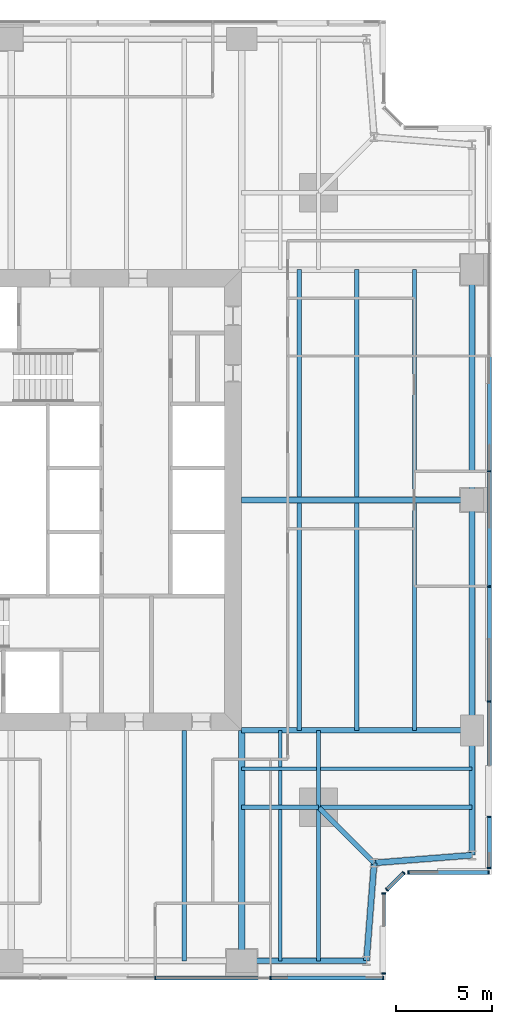
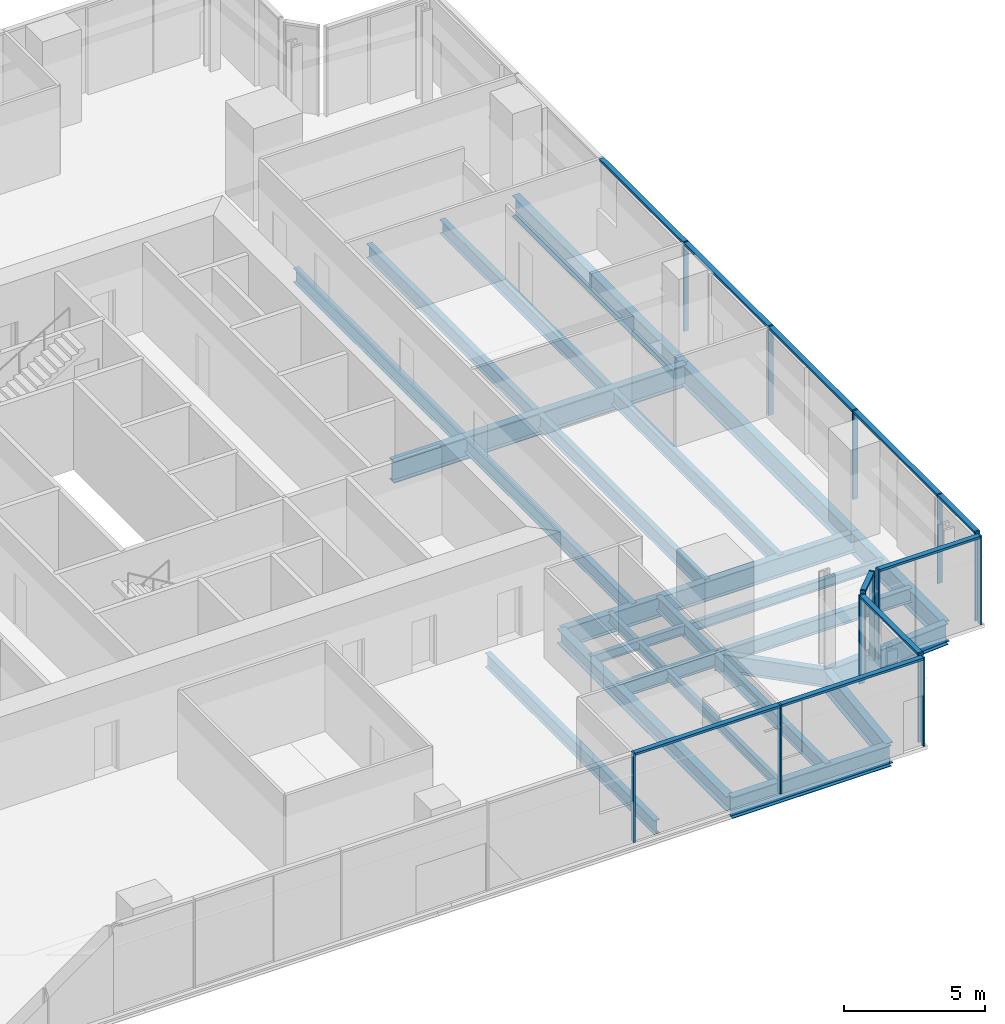
# One storey, part 5 of 16: 26 beams, 24 members, 5 elements without a shape of their own.
"""IFC4 building model written with IfcOpenShell, lengths in metres."""

from ifc_helpers import new_model, si_unit, direction, frame, origin, origin_2d, place, context, subcontext, project, spatial, rectangle, i_section, extrude, material, material_profile, profile_set, type_object, element, aggregate, save


model = new_model("IFC4")

# Units and contexts
model_context = context("Model", 3, precision=1e-05, world=origin(), true_north=direction((0.0, 1.0)))
body_context = subcontext(model_context, "Body", "Model", "MODEL_VIEW")
ifc_project = project(units=[si_unit("LENGTHUNIT", "METRE"), si_unit("AREAUNIT", "SQUARE_METRE"), si_unit("VOLUMEUNIT", "CUBIC_METRE"), si_unit("PLANEANGLEUNIT", "RADIAN"), si_unit("MASSUNIT", "GRAM", prefix="KILO")], contexts=[model_context])

# Site, building, storey
site_placement = place(None, origin())
site = spatial("IfcSite", under=ifc_project, at=site_placement, CompositionType="ELEMENT")
building_placement = place(site_placement, origin())
building = spatial("IfcBuilding", under=site, at=building_placement, Name="Fenwick Lantern Interchange", CompositionType="ELEMENT")
storey_placement = place(building_placement, frame((0.0, 0.0, 177.800048828125)))
storey = spatial("IfcBuildingStorey", under=building, at=storey_placement, Name="L41", CompositionType="ELEMENT", Elevation=177.800048828125)

# Beams
ifc_material_1 = material(Name="Steel ASTM A992 Grade 50", Category="steel")
ifc_material_profile_1 = material_profile(ifc_material_1, i_section(OverallWidth=0.3046875, OverallDepth=0.911865234375, WebThickness=0.015869140625, FlangeThickness=0.02392578125, at=origin_2d()), Name="W36X150")
ifc_profile_set_1 = profile_set([ifc_material_profile_1], Name="Steel ASTM A992 Grade 50")
beam_type_1 = type_object("IfcBeamType", Name="EDGE BEAM W36X150", PredefinedType="SPANDREL", material=ifc_profile_set_1)
beam_1_placement = place(storey_placement, frame((37.0, 1.0, -0.60595703125), z_axis=(1.0, 0.0, 0.0), x_axis=(0.0, 1.0, 0.0)))
element("IfcBeam", 1, at=beam_1_placement, inside=storey, type_object=beam_type_1, Name="L41/FR/S/EB4", PredefinedType="SPANDREL", context=body_context, shape_type="SweptSolid", body=[
    extrude(i_section(OverallWidth=0.3046875, OverallDepth=0.911865234375, WebThickness=0.015869140625, FlangeThickness=0.02392578125, at=origin_2d()), origin(), (0.0, 0.0, 1.0), 6.5),
])
for number, where, z_axis, x_axis, name in (
    (2, (43.5, 1.0, -0.60595703125), (0.078170784639, 0.99693998236, 0.0), (-0.99693998236, 0.078170784639, 0.0), "L41/FR/S/EBR1"),
    (3, (43.89990234375, 6.10009765625, -0.60595703125), (0.99693998236, 0.078170784639, 0.0), (-0.078170784639, 0.99693998236, 0.0), "L41/FR/S/EBR2"),
):
    element("IfcBeam", number, at=place(storey_placement, frame(where, z_axis=z_axis, x_axis=x_axis)), inside=storey, type_object=beam_type_1, Name=name, PredefinedType="SPANDREL", context=body_context, shape_type="SweptSolid", body=[
        extrude(i_section(OverallWidth=0.3046875, OverallDepth=0.911865234375, WebThickness=0.015869140625, FlangeThickness=0.02392578125, at=origin_2d()), origin(), (0.0, 0.0, 1.0), 5.11572265625),
    ])
beam_2_placement = place(storey_placement, frame((49.0, 6.5, -0.60595703125), z_axis=(0.0, 1.0, 0.0), x_axis=(-1.0, 0.0, 0.0)))
element("IfcBeam", 4, at=beam_2_placement, inside=storey, type_object=beam_type_1, Name="L41/FR/E/EB1", PredefinedType="SPANDREL", context=body_context, shape_type="SweptSolid", body=[
    extrude(i_section(OverallWidth=0.3046875, OverallDepth=0.911865234375, WebThickness=0.015869140625, FlangeThickness=0.02392578125, at=origin_2d()), origin(), (0.0, 0.0, 1.0), 6.5),
])
for number, where, z_axis, x_axis, name in (
    (5, (49.0, 13.0, -0.60595703125), (0.0, 1.0, 0.0), (-1.0, 0.0, 0.0), "L41/FR/E/EB2"),
    (6, (49.0, 25.0, -0.60595703125), (0.0, 1.0, 0.0), (-1.0, 0.0, 0.0), "L41/FR/E/EB3"),
):
    element("IfcBeam", number, at=place(storey_placement, frame(where, z_axis=z_axis, x_axis=x_axis)), inside=storey, type_object=beam_type_1, Name=name, PredefinedType="SPANDREL", context=body_context, shape_type="SweptSolid", body=[
        extrude(i_section(OverallWidth=0.3046875, OverallDepth=0.911865234375, WebThickness=0.015869140625, FlangeThickness=0.02392578125, at=origin_2d()), origin(), (0.0, 0.0, 1.0), 12.0),
    ])
ifc_material_profile_2 = material_profile(ifc_material_1, i_section(OverallWidth=0.22900390625, OverallDepth=0.612060546875, WebThickness=0.011962890625, FlangeThickness=0.01953125, at=origin_2d()), Name="W24X84")
ifc_profile_set_2 = profile_set([ifc_material_profile_2], Name="Steel ASTM A992 Grade 50")
beam_type_2 = type_object("IfcBeamType", Name="FLOOR BEAM W24X84", PredefinedType="BEAM", material=ifc_profile_set_2)
beam_3_placement = place(storey_placement, frame((34.0, 1.0, -0.4560546875), z_axis=(0.0, 1.0, 0.0), x_axis=(-1.0, 0.0, 0.0)))
element("IfcBeam", 7, at=beam_3_placement, inside=storey, type_object=beam_type_2, Name="L41/FR/S/R08", PredefinedType="BEAM", context=body_context, shape_type="SweptSolid", body=[
    extrude(i_section(OverallWidth=0.22900390625, OverallDepth=0.612060546875, WebThickness=0.011962890625, FlangeThickness=0.01953125, at=origin_2d()), origin(), (0.0, 0.0, 1.0), 12.0),
])
for number, where, z_axis, x_axis, name in (
    (8, (46.0, 13.0, -0.4560546875), (0.0, 1.0, 0.0), (-1.0, 0.0, 0.0), "L41/FR/E/B01"),
    (9, (43.0, 13.0, -0.4560546875), (0.0, 1.0, 0.0), (-1.0, 0.0, 0.0), "L41/FR/E/B02"),
    (10, (40.0, 13.0, -0.4560546875), (0.0, 1.0, 0.0), (-1.0, 0.0, 0.0), "L41/FR/E/B03"),
    (11, (46.0, 25.155029296875, -0.4560546875), (0.0, 1.0, 0.0), (-1.0, 0.0, 0.0), "L41/FR/E/B04"),
    (12, (43.0, 25.155029296875, -0.4560546875), (0.0, 1.0, 0.0), (-1.0, 0.0, 0.0), "L41/FR/E/B05"),
    (13, (40.0, 25.155029296875, -0.4560546875), (0.0, 1.0, 0.0), (-1.0, 0.0, 0.0), "L41/FR/E/B06"),
):
    element("IfcBeam", number, at=place(storey_placement, frame(where, z_axis=z_axis, x_axis=x_axis)), inside=storey, type_object=beam_type_2, Name=name, PredefinedType="BEAM", context=body_context, shape_type="SweptSolid", body=[
        extrude(i_section(OverallWidth=0.22900390625, OverallDepth=0.612060546875, WebThickness=0.011962890625, FlangeThickness=0.01953125, at=origin_2d()), origin(), (0.0, 0.0, 1.0), 11.844970703125),
    ])
ifc_material_profile_3 = material_profile(ifc_material_1, i_section(OverallWidth=0.177734375, OverallDepth=0.406494140625, WebThickness=0.0078125, FlangeThickness=0.012939453125, at=origin_2d()), Name="W16X40")
ifc_profile_set_3 = profile_set([ifc_material_profile_3], Name="Steel ASTM A992 Grade 50")
beam_type_3 = type_object("IfcBeamType", Name="INFILL BEAM W16X40", PredefinedType="JOIST", material=ifc_profile_set_3)
beam_4_placement = place(storey_placement, frame((49.0, 11.0, -0.353271484375), z_axis=(-1.0, 0.0, 0.0), x_axis=(0.0, -1.0, 0.0)))
element("IfcBeam", 14, at=beam_4_placement, inside=storey, type_object=beam_type_3, Name="L41/FR/E/J1", PredefinedType="JOIST", context=body_context, shape_type="SweptSolid", body=[
    extrude(i_section(OverallWidth=0.177734375, OverallDepth=0.406494140625, WebThickness=0.0078125, FlangeThickness=0.012939453125, at=origin_2d()), origin(), (0.0, 0.0, 1.0), 7.885498046875),
])
beam_5_placement = place(storey_placement, frame((40.885498046875, 11.0, -0.353271484375), z_axis=(-1.0, 0.0, 0.0), x_axis=(0.0, -1.0, 0.0)))
element("IfcBeam", 15, at=beam_5_placement, inside=storey, type_object=beam_type_3, Name="L41/FR/E/J2", PredefinedType="JOIST", context=body_context, shape_type="SweptSolid", body=[
    extrude(i_section(OverallWidth=0.177734375, OverallDepth=0.406494140625, WebThickness=0.0078125, FlangeThickness=0.012939453125, at=origin_2d()), origin(), (0.0, 0.0, 1.0), 3.885498046875),
])
beam_6_placement = place(storey_placement, frame((39.0, 1.0, -0.353271484375), z_axis=(0.0, 1.0, 0.0), x_axis=(-1.0, 0.0, 0.0)))
element("IfcBeam", 16, at=beam_6_placement, inside=storey, type_object=beam_type_3, Name="L41/FR/E/J3", PredefinedType="JOIST", context=body_context, shape_type="SweptSolid", body=[
    extrude(i_section(OverallWidth=0.177734375, OverallDepth=0.406494140625, WebThickness=0.0078125, FlangeThickness=0.012939453125, at=origin_2d()), origin(), (0.0, 0.0, 1.0), 7.885498046875),
])
beam_7_placement = place(storey_placement, frame((39.0, 9.114501953125, -0.353271484375), z_axis=(0.0, 1.0, 0.0), x_axis=(-1.0, 0.0, 0.0)))
element("IfcBeam", 17, at=beam_7_placement, inside=storey, type_object=beam_type_3, Name="L41/FR/E/J4", PredefinedType="JOIST", context=body_context, shape_type="SweptSolid", body=[
    extrude(i_section(OverallWidth=0.177734375, OverallDepth=0.406494140625, WebThickness=0.0078125, FlangeThickness=0.012939453125, at=origin_2d()), origin(), (0.0, 0.0, 1.0), 1.796630859375),
])
beam_8_placement = place(storey_placement, frame((39.0, 11.0888671875, -0.353271484375), z_axis=(0.0, 1.0, 0.0), x_axis=(-1.0, 0.0, 0.0)))
element("IfcBeam", 18, at=beam_8_placement, inside=storey, type_object=beam_type_3, Name="L41/FR/E/J5", PredefinedType="JOIST", context=body_context, shape_type="SweptSolid", body=[
    extrude(i_section(OverallWidth=0.177734375, OverallDepth=0.406494140625, WebThickness=0.0078125, FlangeThickness=0.012939453125, at=origin_2d()), origin(), (0.0, 0.0, 1.0), 1.9111328125),
])
ifc_material_profile_4 = material_profile(ifc_material_1, i_section(OverallWidth=0.22900390625, OverallDepth=0.612060546875, WebThickness=0.011962890625, FlangeThickness=0.01953125, at=origin_2d()), Name="W24X84")
ifc_profile_set_4 = profile_set([ifc_material_profile_4], Name="Steel ASTM A992 Grade 50")
beam_type_4 = type_object("IfcBeamType", Name="MEGA COLUMN BEAM W24X84", PredefinedType="BEAM", material=ifc_profile_set_4)
for number, where, z_axis, x_axis, name in (
    (19, (41.0, 9.0, -0.4560546875), (1.0, 0.0, 0.0), (0.0, 1.0, 0.0), "L41/FR/E/MB1"),
    (20, (41.0, 9.0, -0.4560546875), (0.0, -1.0, 0.0), (1.0, 0.0, 0.0), "L41/FR/E/MB2"),
):
    element("IfcBeam", number, at=place(storey_placement, frame(where, z_axis=z_axis, x_axis=x_axis)), inside=storey, type_object=beam_type_4, Name=name, PredefinedType="BEAM", context=body_context, shape_type="SweptSolid", body=[
        extrude(i_section(OverallWidth=0.22900390625, OverallDepth=0.612060546875, WebThickness=0.011962890625, FlangeThickness=0.01953125, at=origin_2d()), origin(), (0.0, 0.0, 1.0), 8.0),
    ])
for number, where, z_axis, x_axis, name in (
    (21, (41.0, 9.0, -0.4560546875), (0.0, 1.0, 0.0), (-1.0, 0.0, 0.0), "L41/FR/E/MB3"),
    (22, (41.0, 9.0, -0.4560546875), (-1.0, 0.0, 0.0), (0.0, -1.0, 0.0), "L41/FR/E/MB4"),
):
    element("IfcBeam", number, at=place(storey_placement, frame(where, z_axis=z_axis, x_axis=x_axis)), inside=storey, type_object=beam_type_4, Name=name, PredefinedType="BEAM", context=body_context, shape_type="SweptSolid", body=[
        extrude(i_section(OverallWidth=0.22900390625, OverallDepth=0.612060546875, WebThickness=0.011962890625, FlangeThickness=0.01953125, at=origin_2d()), origin(), (0.0, 0.0, 1.0), 4.0),
    ])
ifc_material_profile_5 = material_profile(ifc_material_1, i_section(OverallWidth=0.32763671875, OverallDepth=0.622314453125, WebThickness=0.015380859375, FlangeThickness=0.0244140625, at=origin_2d()), Name="W24X131")
ifc_profile_set_5 = profile_set([ifc_material_profile_5], Name="Steel ASTM A992 Grade 50")
beam_type_5 = type_object("IfcBeamType", Name="MOMENT-CONNECTED GIRDER W24X131", PredefinedType="BEAM", material=ifc_profile_set_5)
beam_9_placement = place(storey_placement, frame((37.0, 1.0, -0.461181640625), z_axis=(0.0, 1.0, 0.0), x_axis=(-1.0, 0.0, 0.0)))
element("IfcBeam", 23, at=beam_9_placement, inside=storey, type_object=beam_type_5, Name="L41/FR/S/R09", PredefinedType="BEAM", context=body_context, shape_type="SweptSolid", body=[
    extrude(i_section(OverallWidth=0.32763671875, OverallDepth=0.622314453125, WebThickness=0.015380859375, FlangeThickness=0.0244140625, at=origin_2d()), origin(), (0.0, 0.0, 1.0), 12.0),
])
ifc_material_profile_6 = material_profile(ifc_material_1, i_section(OverallWidth=0.2919921875, OverallDepth=0.845703125, WebThickness=0.015380859375, FlangeThickness=0.0244140625, at=origin_2d()), Name="W33X141")
ifc_profile_set_6 = profile_set([ifc_material_profile_6], Name="Steel ASTM A992 Grade 50")
beam_type_6 = type_object("IfcBeamType", Name="MOMENT-CONNECTED GIRDER W33X141", PredefinedType="BEAM", material=ifc_profile_set_6)
beam_10_placement = place(storey_placement, frame((49.0, 13.0, -0.572998046875), z_axis=(-1.0, 0.0, 0.0), x_axis=(0.0, -1.0, 0.0)))
element("IfcBeam", 24, at=beam_10_placement, inside=storey, type_object=beam_type_6, Name="L41/FR/E/R01", PredefinedType="BEAM", context=body_context, shape_type="SweptSolid", body=[
    extrude(i_section(OverallWidth=0.2919921875, OverallDepth=0.845703125, WebThickness=0.015380859375, FlangeThickness=0.0244140625, at=origin_2d()), origin(), (0.0, 0.0, 1.0), 12.0),
])
ifc_material_profile_7 = material_profile(ifc_material_1, i_section(OverallWidth=0.309814453125, OverallDepth=0.949951171875, WebThickness=0.0244140625, FlangeThickness=0.0439453125, at=origin_2d()), Name="W36X256")
ifc_profile_set_7 = profile_set([ifc_material_profile_7], Name="Steel ASTM A992 Grade 50")
beam_type_7 = type_object("IfcBeamType", Name="MOMENT-CONNECTED GIRDER W36X256", PredefinedType="BEAM", material=ifc_profile_set_7)
beam_11_placement = place(storey_placement, frame((49.0, 25.0, -0.625), z_axis=(-1.0, 0.0, 0.0), x_axis=(0.0, -1.0, 0.0)))
element("IfcBeam", 25, at=beam_11_placement, inside=storey, type_object=beam_type_7, Name="L41/FR/E/R02", PredefinedType="BEAM", context=body_context, shape_type="SweptSolid", body=[
    extrude(i_section(OverallWidth=0.309814453125, OverallDepth=0.949951171875, WebThickness=0.0244140625, FlangeThickness=0.0439453125, at=origin_2d()), origin(), (0.0, 0.0, 1.0), 12.0),
])
ifc_material_profile_8 = material_profile(ifc_material_1, i_section(OverallWidth=0.2666015625, OverallDepth=0.7568359375, WebThickness=0.013916015625, FlangeThickness=0.019287109375, at=origin_2d()), Name="W30X108")
ifc_profile_set_8 = profile_set([ifc_material_profile_8], Name="Steel ASTM A992 Grade 50")
beam_type_8 = type_object("IfcBeamType", Name="NOTCH BEAM W30X108", PredefinedType="BEAM", material=ifc_profile_set_8)
beam_12_placement = place(storey_placement, frame((41.0, 9.0, -0.528564453125), z_axis=(0.707106781187, -0.707106781187, 0.0), x_axis=(0.707106781187, 0.707106781187, 0.0)))
element("IfcBeam", 26, at=beam_12_placement, inside=storey, type_object=beam_type_8, Name="L41/FR/E/TG", PredefinedType="BEAM", context=body_context, shape_type="SweptSolid", body=[
    extrude(i_section(OverallWidth=0.2666015625, OverallDepth=0.7568359375, WebThickness=0.013916015625, FlangeThickness=0.019287109375, at=origin_2d()), origin(), (0.0, 0.0, 1.0), 4.10107421875),
])

# Curtain wall, members
ifc_material_2 = material(Name="Aluminium curtain wall frame", Category="aluminium")
curtain_wall_type = type_object("IfcCurtainWallType", Name="OFFICE CURTAIN WALL", PredefinedType="USERDEFINED", material=ifc_material_2)
curtain_wall_1_placement = place(storey_placement, origin())
curtain_wall_1 = element("IfcCurtainWall", 27, at=curtain_wall_1_placement, inside=storey, type_object=curtain_wall_type, Name="Office curtain wall 01", ObjectType="OFFICE CURTAIN WALL", PredefinedType="USERDEFINED")
ifc_material_3 = material(Name="Aluminium extrusion", Category="aluminium")
ifc_material_profile_9 = material_profile(ifc_material_3, rectangle(XDim=0.199951171875, YDim=0.06494140625, at=origin_2d()), Name="OFFICE CURTAIN WALL MULLION 65 X 200")
ifc_profile_set_9 = profile_set([ifc_material_profile_9], Name="Aluminium extrusion")
member_type_1 = type_object("IfcMemberType", Name="OFFICE CURTAIN WALL MULLION 65 X 200", PredefinedType="MULLION", material=ifc_profile_set_9)
member_1_placement = place(storey_placement, frame((32.5, 0.10009765625, 0.0), z_axis=(0.0, 0.0, 1.0), x_axis=(0.0, 1.0, 0.0)))
member_1 = element("IfcMember", 28, at=member_1_placement, type_object=member_type_1, Name="L41/CW/01/M05", PredefinedType="MULLION", context=body_context, shape_type="SweptSolid", body=[
    extrude(rectangle(XDim=0.199951171875, YDim=0.06494140625, at=origin_2d()), origin(), (0.0, 0.0, 1.0), 3.849853515625),
])
member_2_placement = place(storey_placement, frame((38.5, 0.10009765625, 0.0), z_axis=(0.0, 0.0, 1.0), x_axis=(0.0, 1.0, 0.0)))
member_2 = element("IfcMember", 29, at=member_2_placement, type_object=member_type_1, Name="L41/CW/01/M06", PredefinedType="MULLION", context=body_context, shape_type="SweptSolid", body=[
    extrude(rectangle(XDim=0.199951171875, YDim=0.06494140625, at=origin_2d()), origin(), (0.0, 0.0, 1.0), 3.849853515625),
])
member_3_placement = place(storey_placement, frame((44.367431640625, 0.10009765625, 0.0), z_axis=(0.0, 0.0, 1.0), x_axis=(0.0, 1.0, 0.0)))
member_3 = element("IfcMember", 30, at=member_3_placement, type_object=member_type_1, Name="L41/CW/01/M07", PredefinedType="MULLION", context=body_context, shape_type="SweptSolid", body=[
    extrude(rectangle(XDim=0.199951171875, YDim=0.06494140625, at=origin_2d()), origin(), (0.0, 0.0, 1.0), 3.849853515625),
])

curtain_wall_2_placement = place(storey_placement, origin())
curtain_wall_2 = element("IfcCurtainWall", 31, at=curtain_wall_2_placement, inside=storey, type_object=curtain_wall_type, Name="Office curtain wall 02", ObjectType="OFFICE CURTAIN WALL", PredefinedType="USERDEFINED")
member_4_placement = place(storey_placement, frame((44.39990234375, 0.33251953125, 0.0), z_axis=(0.0, 0.0, 1.0), x_axis=(-1.0, 0.0, 0.0)))
member_4 = element("IfcMember", 32, at=member_4_placement, type_object=member_type_1, Name="L41/CW/02/M00", PredefinedType="MULLION", context=body_context, shape_type="SweptSolid", body=[
    extrude(rectangle(XDim=0.199951171875, YDim=0.06494140625, at=origin_2d()), origin(), (0.0, 0.0, 1.0), 3.849853515625),
])
member_5_placement = place(storey_placement, frame((44.39990234375, 4.509033203125, 0.0), z_axis=(0.0, 0.0, 1.0), x_axis=(-1.0, 0.0, 0.0)))
member_5 = element("IfcMember", 33, at=member_5_placement, type_object=member_type_1, Name="L41/CW/02/M01", PredefinedType="MULLION", context=body_context, shape_type="SweptSolid", body=[
    extrude(rectangle(XDim=0.199951171875, YDim=0.06494140625, at=origin_2d()), origin(), (0.0, 0.0, 1.0), 3.849853515625),
])

curtain_wall_3_placement = place(storey_placement, origin())
curtain_wall_3 = element("IfcCurtainWall", 34, at=curtain_wall_3_placement, inside=storey, type_object=curtain_wall_type, Name="Office curtain wall 03", ObjectType="OFFICE CURTAIN WALL", PredefinedType="USERDEFINED")
member_6_placement = place(storey_placement, frame((44.564453125, 4.705810546875, 0.0), z_axis=(0.0, 0.0, 1.0), x_axis=(-0.707106781187, 0.707106781187, 0.0)))
member_6 = element("IfcMember", 35, at=member_6_placement, type_object=member_type_1, Name="L41/CW/03/M00", PredefinedType="MULLION", context=body_context, shape_type="SweptSolid", body=[
    extrude(rectangle(XDim=0.199951171875, YDim=0.06494140625, at=origin_2d()), origin(), (0.0, 0.0, 1.0), 3.849853515625),
])
member_7_placement = place(storey_placement, frame((45.435546875, 5.576904296875, 0.0), z_axis=(0.0, 0.0, 1.0), x_axis=(-0.707106781187, 0.707106781187, 0.0)))
member_7 = element("IfcMember", 36, at=member_7_placement, type_object=member_type_1, Name="L41/CW/03/M01", PredefinedType="MULLION", context=body_context, shape_type="SweptSolid", body=[
    extrude(rectangle(XDim=0.199951171875, YDim=0.06494140625, at=origin_2d()), origin(), (0.0, 0.0, 1.0), 3.849853515625),
])

curtain_wall_4_placement = place(storey_placement, origin())
curtain_wall_4 = element("IfcCurtainWall", 37, at=curtain_wall_4_placement, inside=storey, type_object=curtain_wall_type, Name="Office curtain wall 04", ObjectType="OFFICE CURTAIN WALL", PredefinedType="USERDEFINED")
member_8_placement = place(storey_placement, frame((45.691162109375, 5.60009765625, 0.0), z_axis=(0.0, 0.0, 1.0), x_axis=(0.0, 1.0, 0.0)))
member_8 = element("IfcMember", 38, at=member_8_placement, type_object=member_type_1, Name="L41/CW/04/M00", PredefinedType="MULLION", context=body_context, shape_type="SweptSolid", body=[
    extrude(rectangle(XDim=0.199951171875, YDim=0.06494140625, at=origin_2d()), origin(), (0.0, 0.0, 1.0), 3.849853515625),
])
member_9_placement = place(storey_placement, frame((49.867431640625, 5.60009765625, 0.0), z_axis=(0.0, 0.0, 1.0), x_axis=(0.0, 1.0, 0.0)))
member_9 = element("IfcMember", 39, at=member_9_placement, type_object=member_type_1, Name="L41/CW/04/M01", PredefinedType="MULLION", context=body_context, shape_type="SweptSolid", body=[
    extrude(rectangle(XDim=0.199951171875, YDim=0.06494140625, at=origin_2d()), origin(), (0.0, 0.0, 1.0), 3.849853515625),
])

curtain_wall_5_placement = place(storey_placement, origin())
curtain_wall_5 = element("IfcCurtainWall", 40, at=curtain_wall_5_placement, inside=storey, type_object=curtain_wall_type, Name="Office curtain wall 05", ObjectType="OFFICE CURTAIN WALL", PredefinedType="USERDEFINED")
member_10_placement = place(storey_placement, frame((49.89990234375, 5.83251953125, 0.0), z_axis=(0.0, 0.0, 1.0), x_axis=(-1.0, 0.0, 0.0)))
member_10 = element("IfcMember", 41, at=member_10_placement, type_object=member_type_1, Name="L41/CW/05/M00", PredefinedType="MULLION", context=body_context, shape_type="SweptSolid", body=[
    extrude(rectangle(XDim=0.199951171875, YDim=0.06494140625, at=origin_2d()), origin(), (0.0, 0.0, 1.0), 3.849853515625),
])
member_11_placement = place(storey_placement, frame((49.89990234375, 8.5, 0.0), z_axis=(0.0, 0.0, 1.0), x_axis=(-1.0, 0.0, 0.0)))
member_11 = element("IfcMember", 42, at=member_11_placement, type_object=member_type_1, Name="L41/CW/05/M01", PredefinedType="MULLION", context=body_context, shape_type="SweptSolid", body=[
    extrude(rectangle(XDim=0.199951171875, YDim=0.06494140625, at=origin_2d()), origin(), (0.0, 0.0, 1.0), 3.849853515625),
])
member_12_placement = place(storey_placement, frame((49.89990234375, 14.5, 0.0), z_axis=(0.0, 0.0, 1.0), x_axis=(-1.0, 0.0, 0.0)))
member_12 = element("IfcMember", 43, at=member_12_placement, type_object=member_type_1, Name="L41/CW/05/M02", PredefinedType="MULLION", context=body_context, shape_type="SweptSolid", body=[
    extrude(rectangle(XDim=0.199951171875, YDim=0.06494140625, at=origin_2d()), origin(), (0.0, 0.0, 1.0), 3.849853515625),
])
member_13_placement = place(storey_placement, frame((49.89990234375, 20.5, 0.0), z_axis=(0.0, 0.0, 1.0), x_axis=(-1.0, 0.0, 0.0)))
member_13 = element("IfcMember", 44, at=member_13_placement, type_object=member_type_1, Name="L41/CW/05/M03", PredefinedType="MULLION", context=body_context, shape_type="SweptSolid", body=[
    extrude(rectangle(XDim=0.199951171875, YDim=0.06494140625, at=origin_2d()), origin(), (0.0, 0.0, 1.0), 3.849853515625),
])
member_14_placement = place(storey_placement, frame((49.89990234375, 26.5, 0.0), z_axis=(0.0, 0.0, 1.0), x_axis=(-1.0, 0.0, 0.0)))
member_14 = element("IfcMember", 45, at=member_14_placement, type_object=member_type_1, Name="L41/CW/05/M04", PredefinedType="MULLION", context=body_context, shape_type="SweptSolid", body=[
    extrude(rectangle(XDim=0.199951171875, YDim=0.06494140625, at=origin_2d()), origin(), (0.0, 0.0, 1.0), 3.849853515625),
])

# Member
ifc_material_profile_10 = material_profile(ifc_material_3, rectangle(XDim=0.199951171875, YDim=0.10009765625, at=origin_2d()), Name="OFFICE CURTAIN WALL TRANSOM 100 X 200")
ifc_profile_set_10 = profile_set([ifc_material_profile_10], Name="Aluminium extrusion")
member_type_2 = type_object("IfcMemberType", Name="OFFICE CURTAIN WALL TRANSOM 100 X 200", PredefinedType="MULLION", material=ifc_profile_set_10)
member_15_placement = place(storey_placement, frame((32.532470703125, 0.10009765625, 3.800048828125), z_axis=(1.0, 0.0, 0.0), x_axis=(0.0, 1.0, 0.0)))
member_15 = element("IfcMember", 46, at=member_15_placement, type_object=member_type_2, Name="L41/CW/01/T05", PredefinedType="MULLION", context=body_context, shape_type="SweptSolid", body=[
    extrude(rectangle(XDim=0.199951171875, YDim=0.10009765625, at=origin_2d()), origin(), (0.0, 0.0, 1.0), 5.93505859375),
])

member_16_placement = place(storey_placement, frame((38.532470703125, 0.10009765625, 3.800048828125), z_axis=(1.0, 0.0, 0.0), x_axis=(0.0, 1.0, 0.0)))
member_16 = element("IfcMember", 47, at=member_16_placement, type_object=member_type_2, Name="L41/CW/01/T06", PredefinedType="MULLION", context=body_context, shape_type="SweptSolid", body=[
    extrude(rectangle(XDim=0.199951171875, YDim=0.10009765625, at=origin_2d()), origin(), (0.0, 0.0, 1.0), 5.802490234375),
])

aggregate(curtain_wall_1, [member_1, member_2, member_3, member_15, member_16])

member_17_placement = place(storey_placement, frame((44.39990234375, 0.364990234375, 3.800048828125), z_axis=(0.0, 1.0, 0.0), x_axis=(-1.0, 0.0, 0.0)))
member_17 = element("IfcMember", 48, at=member_17_placement, type_object=member_type_2, Name="L41/CW/02/T00", PredefinedType="MULLION", context=body_context, shape_type="SweptSolid", body=[
    extrude(rectangle(XDim=0.199951171875, YDim=0.10009765625, at=origin_2d()), origin(), (0.0, 0.0, 1.0), 4.111328125),
])

aggregate(curtain_wall_2, [member_4, member_5, member_17])

member_18_placement = place(storey_placement, frame((44.58740234375, 4.728759765625, 3.800048828125), z_axis=(0.707106781187, 0.707106781187, 0.0), x_axis=(-0.707106781187, 0.707106781187, 0.0)))
member_18 = element("IfcMember", 49, at=member_18_placement, type_object=member_type_2, Name="L41/CW/03/T00", PredefinedType="MULLION", context=body_context, shape_type="SweptSolid", body=[
    extrude(rectangle(XDim=0.199951171875, YDim=0.10009765625, at=origin_2d()), origin(), (0.0, 0.0, 1.0), 1.1669921875),
])

aggregate(curtain_wall_3, [member_6, member_7, member_18])

member_19_placement = place(storey_placement, frame((45.7236328125, 5.60009765625, 3.800048828125), z_axis=(1.0, 0.0, 0.0), x_axis=(0.0, 1.0, 0.0)))
member_19 = element("IfcMember", 50, at=member_19_placement, type_object=member_type_2, Name="L41/CW/04/T00", PredefinedType="MULLION", context=body_context, shape_type="SweptSolid", body=[
    extrude(rectangle(XDim=0.199951171875, YDim=0.10009765625, at=origin_2d()), origin(), (0.0, 0.0, 1.0), 4.111328125),
])

aggregate(curtain_wall_4, [member_8, member_9, member_19])

member_20_placement = place(storey_placement, frame((49.89990234375, 5.864990234375, 3.800048828125), z_axis=(0.0, 1.0, 0.0), x_axis=(-1.0, 0.0, 0.0)))
member_20 = element("IfcMember", 51, at=member_20_placement, type_object=member_type_2, Name="L41/CW/05/T00", PredefinedType="MULLION", context=body_context, shape_type="SweptSolid", body=[
    extrude(rectangle(XDim=0.199951171875, YDim=0.10009765625, at=origin_2d()), origin(), (0.0, 0.0, 1.0), 2.6025390625),
])

member_21_placement = place(storey_placement, frame((49.89990234375, 8.532470703125, 3.800048828125), z_axis=(0.0, 1.0, 0.0), x_axis=(-1.0, 0.0, 0.0)))
member_21 = element("IfcMember", 52, at=member_21_placement, type_object=member_type_2, Name="L41/CW/05/T01", PredefinedType="MULLION", context=body_context, shape_type="SweptSolid", body=[
    extrude(rectangle(XDim=0.199951171875, YDim=0.10009765625, at=origin_2d()), origin(), (0.0, 0.0, 1.0), 5.93505859375),
])

member_22_placement = place(storey_placement, frame((49.89990234375, 14.532470703125, 3.800048828125), z_axis=(0.0, 1.0, 0.0), x_axis=(-1.0, 0.0, 0.0)))
member_22 = element("IfcMember", 53, at=member_22_placement, type_object=member_type_2, Name="L41/CW/05/T02", PredefinedType="MULLION", context=body_context, shape_type="SweptSolid", body=[
    extrude(rectangle(XDim=0.199951171875, YDim=0.10009765625, at=origin_2d()), origin(), (0.0, 0.0, 1.0), 5.93505859375),
])

member_23_placement = place(storey_placement, frame((49.89990234375, 20.532470703125, 3.800048828125), z_axis=(0.0, 1.0, 0.0), x_axis=(-1.0, 0.0, 0.0)))
member_23 = element("IfcMember", 54, at=member_23_placement, type_object=member_type_2, Name="L41/CW/05/T03", PredefinedType="MULLION", context=body_context, shape_type="SweptSolid", body=[
    extrude(rectangle(XDim=0.199951171875, YDim=0.10009765625, at=origin_2d()), origin(), (0.0, 0.0, 1.0), 5.93505859375),
])

member_24_placement = place(storey_placement, frame((49.89990234375, 26.532470703125, 3.800048828125), z_axis=(0.0, 1.0, 0.0), x_axis=(-1.0, 0.0, 0.0)))
member_24 = element("IfcMember", 55, at=member_24_placement, type_object=member_type_2, Name="L41/CW/05/T04", PredefinedType="MULLION", context=body_context, shape_type="SweptSolid", body=[
    extrude(rectangle(XDim=0.199951171875, YDim=0.10009765625, at=origin_2d()), origin(), (0.0, 0.0, 1.0), 5.93505859375),
])

aggregate(curtain_wall_5, [member_10, member_11, member_12, member_13, member_14, member_20, member_21, member_22, member_23, member_24])

save(model, "model.ifc")
